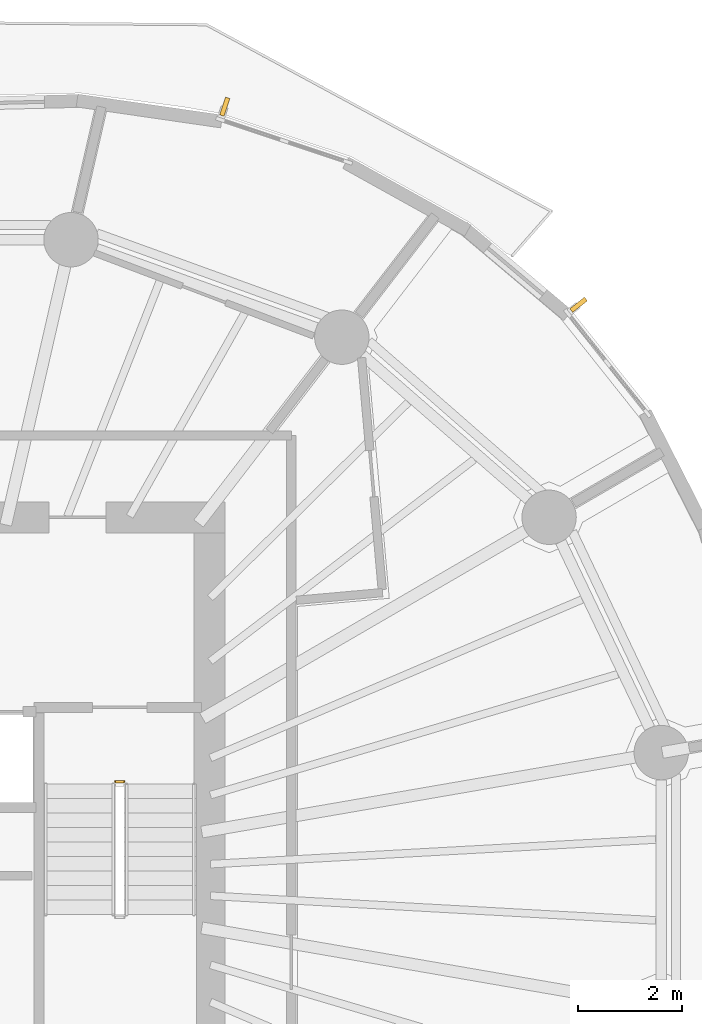
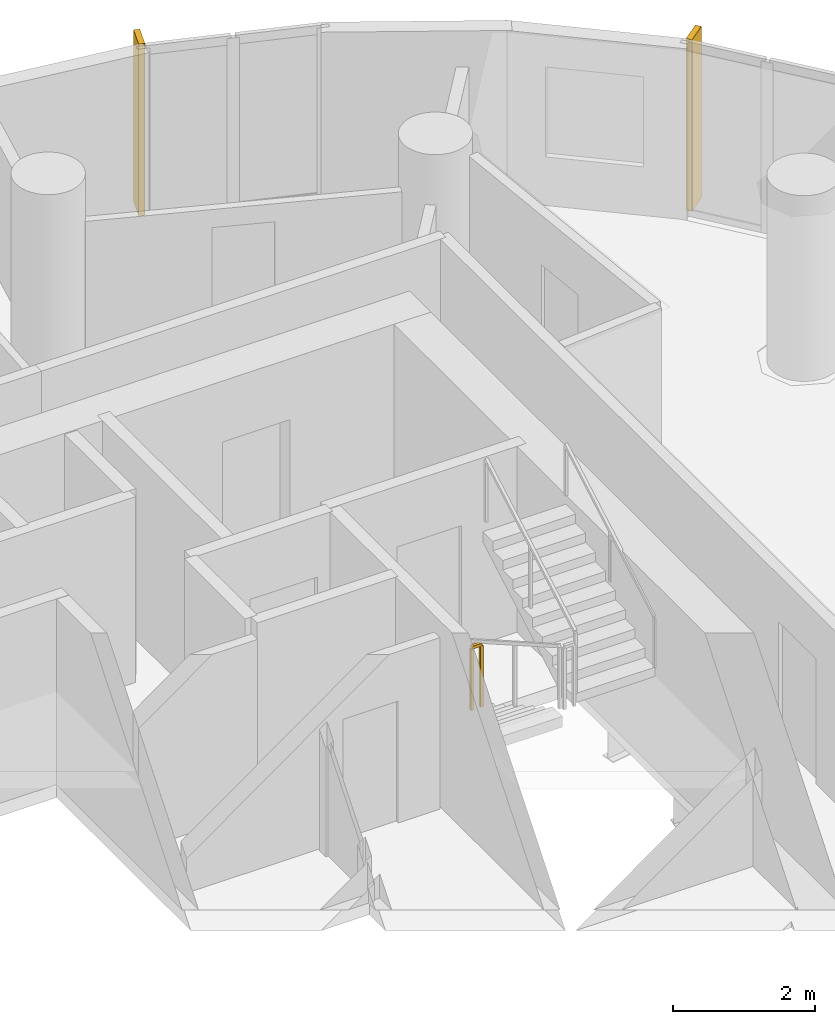
# One storey, part 12 of 12: 2 shading devices, 1 railing.
"""IFC4 building model written with IfcOpenShell, lengths in metres."""

from ifc_helpers import new_model, si_unit, direction, frame, origin, origin_2d, place, context, subcontext, project, spatial, rectangle, extrude, material, layer, layer_set, type_object, element, save


model = new_model("IFC4")

# Units and contexts
model_context = context("Model", 3, precision=1e-05, world=origin(), true_north=direction((0.0, 1.0)))
body_context = subcontext(model_context, "Body", "Model", "MODEL_VIEW")
ifc_project = project(units=[si_unit("LENGTHUNIT", "METRE"), si_unit("AREAUNIT", "SQUARE_METRE"), si_unit("VOLUMEUNIT", "CUBIC_METRE"), si_unit("PLANEANGLEUNIT", "RADIAN"), si_unit("MASSUNIT", "GRAM", prefix="KILO")], contexts=[model_context])

# Site, building, storey
site_placement = place(None, origin())
site = spatial("IfcSite", under=ifc_project, at=site_placement, CompositionType="ELEMENT")
building_placement = place(site_placement, origin())
building = spatial("IfcBuilding", under=site, at=building_placement, Name="Veldorim Arch Residences", CompositionType="ELEMENT")
storey_placement = place(building_placement, frame((0.0, 0.0, 136.159912109375)))
storey = spatial("IfcBuildingStorey", under=building, at=storey_placement, Name="L40", CompositionType="ELEMENT", Elevation=136.159912109375)

# Railing
ifc_material_1 = material(Name="Steel S355", Category="steel")
railing_type = type_object("IfcRailingType", Name="Galvanised Steel Stair Safety Guardrail 1100", PredefinedType="GUARDRAIL", material=ifc_material_1)
railing_placement = place(storey_placement, frame((35.68994140625, 25.89990234375, 0.0)))
element("IfcRailing", 1, at=railing_placement, inside=storey, type_object=railing_type, Name="L40 ST-2 stair guard 4", PredefinedType="GUARDRAIL", context=body_context, shape_type="SweptSolid", body=[
    extrude(rectangle(XDim=0.048095703125, YDim=0.048095703125, at=origin_2d()), frame((0.0, 0.0, 1.076171875), z_axis=(1.0, 0.0, 0.0), x_axis=(0.0, 1.0, 0.0)), (0.0, 0.0, 1.0), 0.16015625),
    extrude(rectangle(XDim=0.0419921875, YDim=0.0419921875, at=origin_2d()), origin(), (0.0, 0.0, 1.0), 1.052001953125),
    extrude(rectangle(XDim=0.0419921875, YDim=0.0419921875, at=origin_2d()), frame((0.16015625, 0.0, 0.0)), (0.0, 0.0, 1.0), 1.052001953125),
])

# Shading devices
ifc_material_2 = material(Name="Terracotta Ceramic", Category="masonry")
ifc_layer = layer(ifc_material_2, 0.090087890625, Name="Vertical Extruded Terracotta Baguette Sun-Shading Fin")
ifc_layer_set = layer_set([ifc_layer], Name="Terracotta Ceramic")
shading_device_type = type_object("IfcShadingDeviceType", Name="Vertical Extruded Terracotta Baguette Sun-Shading Fin", PredefinedType="USERDEFINED", material=ifc_layer_set)
for number, where, z_axis, x_axis, name in (
    (2, (44.625, 35.101318359375, 0.0), (0.0, 0.0, 1.0), (0.622514636638, -0.782608156852, 0.0), "L40 vertical terracotta sun-shading fin 01"),
    (3, (37.796142578125, 38.92626953125, 0.0), (0.0, 0.0, 1.0), (0.948931088342, -0.315483422034, 0.0), "L40 vertical terracotta sun-shading fin 04"),
):
    element("IfcShadingDevice", number, at=place(storey_placement, frame(where, z_axis=z_axis, x_axis=x_axis)), inside=storey, type_object=shading_device_type, Name=name, ObjectType="FIN", PredefinedType="USERDEFINED", context=body_context, shape_type="SweptSolid", body=[
        extrude(rectangle(XDim=0.090087890625, YDim=0.360107421875, at=origin_2d()), origin(), (0.0, 0.0, 1.0), 2.9599609375),
    ])

save(model, "model.ifc")
